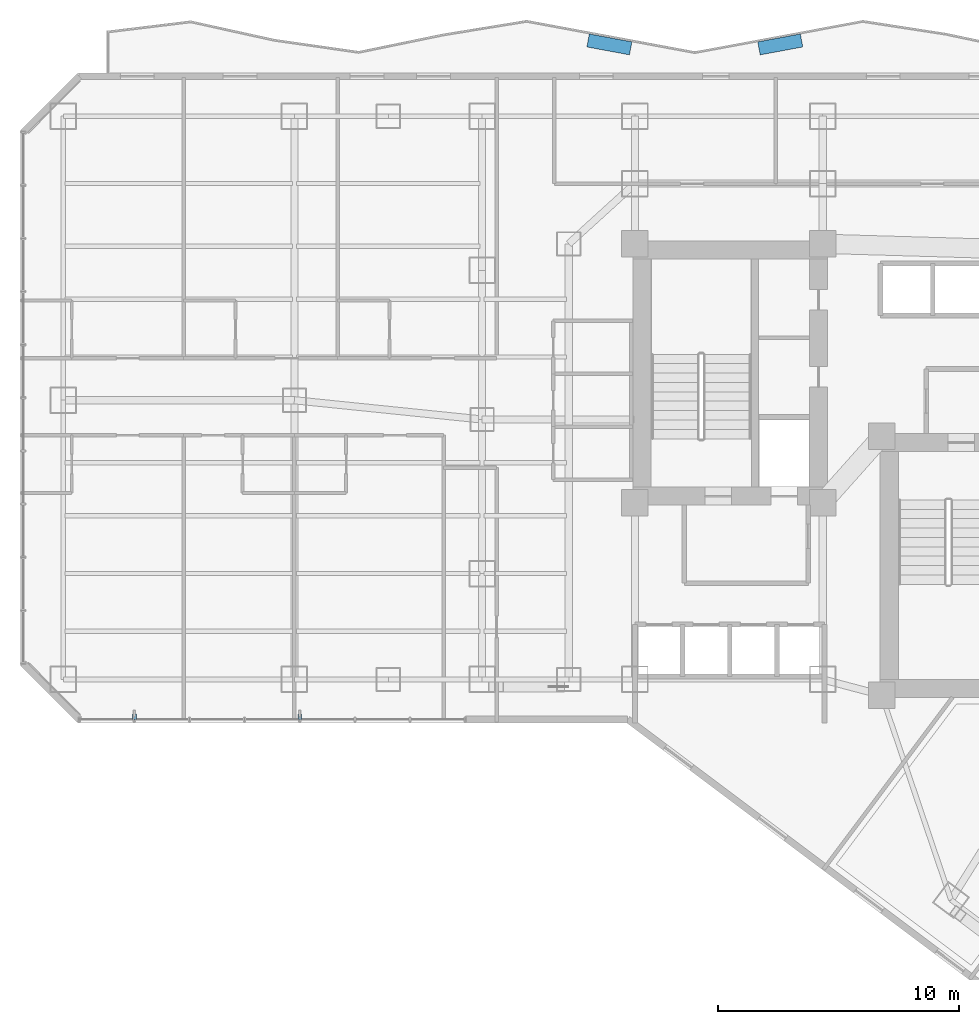
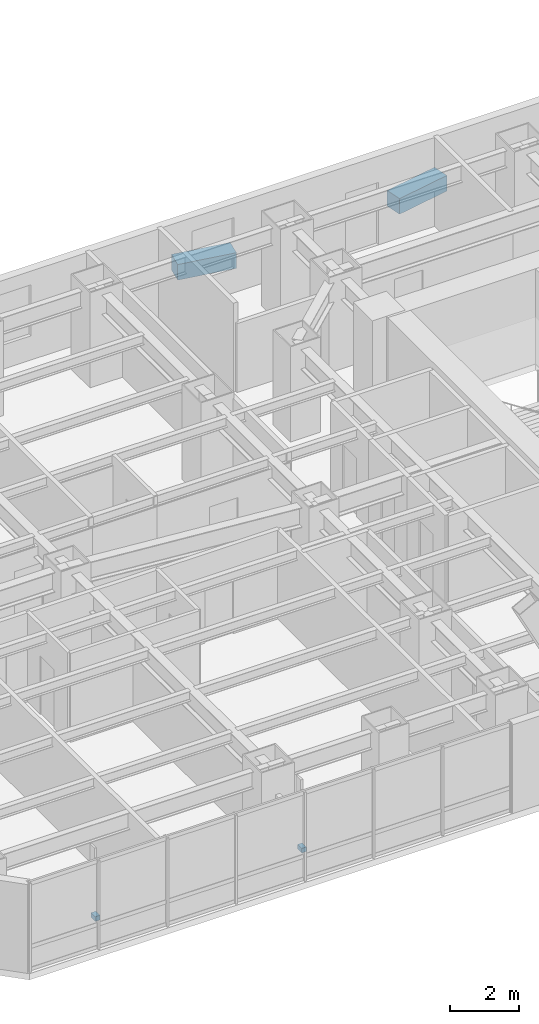
# One storey, part 27 of 32: 4 discrete accessories.
"""IFC4 building model written with IfcOpenShell, lengths in metres."""

import ifcopenshell
import ifcopenshell.guid

model = None  # the IFC model being written
_history = None  # IfcOwnerHistory: only IFC2X3 demands one
_inside = {}  # id of a spatial element -> (the spatial element, [elements in it])
_under = {}  # id of a project, library or spatial element -> (it, [spatial elements below it])
_declared = {}  # id of a project -> (the project, [libraries it declares])
_typed = {}  # id of a type object -> (the type object, [elements of that type])
_made_of = {}  # id of a material, layer set ... -> (it, [elements and type objects made of it])


def new_model(schema):
    """Start an empty IFC model of exactly this schema.

    Asked for "IFC4X3", IfcOpenShell would pick the latest addendum, in which some entities
    have other attributes; the version numbers below select the first issue.
    IFC2X3 requires an IfcOwnerHistory on every rooted entity: one is made here for all.
    """
    global model, _history
    if schema == "IFC4X3":
        model = ifcopenshell.file(schema_version=(4, 3, 0, 0))
    else:
        model = ifcopenshell.file(schema=schema)
    _inside.clear()
    _under.clear()
    _declared.clear()
    _typed.clear()
    _made_of.clear()
    _history = None
    if model.schema == "IFC2X3":
        org = make("IfcOrganization", Name="unknown")
        user = make(
            "IfcPersonAndOrganization",
            ThePerson=make("IfcPerson", FamilyName="unknown"),
            TheOrganization=org,
        )
        app = make(
            "IfcApplication",
            ApplicationDeveloper=org,
            Version="unknown",
            ApplicationFullName="unknown",
            ApplicationIdentifier="unknown",
        )
        _history = make(
            "IfcOwnerHistory",
            OwningUser=user,
            OwningApplication=app,
            ChangeAction="ADDED",
            CreationDate=0,
        )
    return model


def make(cls, **values):
    """One entity of the class cls with the attributes given. An attribute that is None is left unset."""
    return model.create_entity(
        cls, **{name: value for name, value in values.items() if value is not None}
    )


def rooted(cls, **values):
    """An entity with a GlobalId (a new one), such as an element, a storey or a relation."""
    return make(cls, GlobalId=ifcopenshell.guid.new(), OwnerHistory=_history, **values)


def si_unit(unit_type, name, prefix=None):
    """IfcSIUnit, for example si_unit("LENGTHUNIT", "METRE", prefix="MILLI")."""
    return make("IfcSIUnit", UnitType=unit_type, Prefix=prefix, Name=name)


def assignment(units):
    """IfcUnitAssignment: the units of a project."""
    return None if units is None else make("IfcUnitAssignment", Units=units)


def point(xyz):
    """IfcCartesianPoint."""
    return None if xyz is None else make("IfcCartesianPoint", Coordinates=xyz)


def direction(xyz):
    """IfcDirection."""
    return None if xyz is None else make("IfcDirection", DirectionRatios=xyz)


def frame(location, z_axis=None, x_axis=None):
    """IfcAxis2Placement3D, a coordinate frame: its origin and axes. An axis left out is left unset."""
    return make(
        "IfcAxis2Placement3D",
        Location=point(location),
        Axis=direction(z_axis),
        RefDirection=direction(x_axis),
    )


def frame_2d(location, x_axis=None):
    """IfcAxis2Placement2D, a coordinate frame in the plane: its origin and x axis."""
    return make(
        "IfcAxis2Placement2D", Location=point(location), RefDirection=direction(x_axis)
    )


def origin():
    """The frame at (0, 0, 0) with its axes left unset."""
    return frame((0.0, 0.0, 0.0))


def origin_2d():
    """The frame at (0, 0) in the plane with its x axis left unset."""
    return frame_2d((0.0, 0.0))


def place(relative_to, where):
    """IfcLocalPlacement: puts the frame where relative to a parent placement (None: the world)."""
    return make(
        "IfcLocalPlacement", PlacementRelTo=relative_to, RelativePlacement=where
    )


def context(
    kind, dimensions, precision=None, world=None, true_north=None, identifier=None
):
    """IfcGeometricRepresentationContext, for example the 3D "Model" context."""
    return make(
        "IfcGeometricRepresentationContext",
        ContextIdentifier=identifier,
        ContextType=kind,
        CoordinateSpaceDimension=dimensions,
        Precision=precision,
        WorldCoordinateSystem=world,
        TrueNorth=true_north,
    )


def subcontext(parent, identifier, kind, view, scale=None):
    """IfcGeometricRepresentationSubContext, for example "Body" below "Model"."""
    return make(
        "IfcGeometricRepresentationSubContext",
        ContextIdentifier=identifier,
        ContextType=kind,
        ParentContext=parent,
        TargetScale=scale,
        TargetView=view,
    )


def project(units=None, contexts=None):
    """IfcProject with its units and contexts."""
    return rooted(
        "IfcProject",
        Name="project",
        RepresentationContexts=contexts,
        UnitsInContext=assignment(units),
    )


def spatial(cls, under=None, at=None, **own):
    """A site, building, storey or space (cls), placed at a placement, below another one or the project."""
    s = rooted(cls, ObjectPlacement=at, **own)
    if under is not None:
        _under.setdefault(under.id(), (under, []))[1].append(s)
    return s


def profile(cls, at=None, kind="AREA", **sizes):
    """A parametric profile (cls). Its sizes go by their IFC names, for example OverallWidth=200.0."""
    return make(cls, ProfileType=kind, Position=at, **sizes)


def rectangle(**sizes):
    """IfcRectangleProfileDef."""
    return profile("IfcRectangleProfileDef", **sizes)


def extrude(swept, where, along, depth):
    """IfcExtrudedAreaSolid: the profile swept, set in the frame where, extruded along a direction by depth."""
    return make(
        "IfcExtrudedAreaSolid",
        SweptArea=swept,
        Position=where,
        ExtrudedDirection=direction(along),
        Depth=depth,
    )


def shape(context_of_items, identifier, shape_type, items):
    """IfcShapeRepresentation: the items that make up one representation, for example the "Body"."""
    return make(
        "IfcShapeRepresentation",
        ContextOfItems=context_of_items,
        RepresentationIdentifier=identifier,
        RepresentationType=shape_type,
        Items=items,
    )


def material(Name=None, Category=None):
    """IfcMaterial."""
    return make("IfcMaterial", Name=Name, Category=Category)


def made_of(thing, what):
    """Note that an element or type object is made of a material, layer set ...; save() writes the relation."""
    if what is not None:
        _made_of.setdefault(what.id(), (what, []))[1].append(thing)
    return thing


def type_object(cls, material=None, **own):
    """A type object (cls), such as IfcWallType, which elements share."""
    return made_of(rooted(cls, **own), material)


def element(
    cls,
    number,
    at=None,
    inside=None,
    cuts=None,
    type_object=None,
    material=None,
    context=None,
    identifier="Body",
    shape_type=None,
    held_by="IfcProductDefinitionShape",
    body=None,
    shapes=None,
    **own,
):
    """One element of the class cls, such as IfcWall. Its Tag is "e" and its number.

    at: its placement. inside: the storey or other place that contains it. cuts: it is an
    opening in that element (IfcRelVoidsElement). A single representation is given by context,
    identifier, shape_type and body (its items); several are given by shapes. held_by: the class
    of the entity that holds the representations. save() writes the other relations.
    """
    e = rooted(cls, Tag="e%d" % number, ObjectPlacement=at, **own)
    if body is not None:
        shapes = [shape(context, identifier, shape_type, body)]
    if shapes is not None:
        e.Representation = make(held_by, Representations=shapes)
    if inside is not None:
        _inside.setdefault(inside.id(), (inside, []))[1].append(e)
    if cuts is not None:
        rooted(
            "IfcRelVoidsElement", RelatingBuildingElement=cuts, RelatedOpeningElement=e
        )
    if type_object is not None:
        _typed.setdefault(type_object.id(), (type_object, []))[1].append(e)
    return made_of(e, material)


def aggregate(whole, parts):
    """IfcRelAggregates: a whole, such as a stair, and the parts it consists of."""
    return rooted("IfcRelAggregates", RelatingObject=whole, RelatedObjects=parts)


def save(model, path):
    """Write the relations noted so far, then the file.

    IfcRelAggregates (storeys below a building ...), IfcRelContainedInSpatialStructure (elements
    in a storey), IfcRelDefinesByType, IfcRelAssociatesMaterial and IfcRelDeclares: one each for
    every whole, place, type object, material and project.
    """
    for whole, parts in _under.values():
        aggregate(whole, parts)
    for where, things in _inside.values():
        rooted(
            "IfcRelContainedInSpatialStructure",
            RelatedElements=things,
            RelatingStructure=where,
        )
    for kind, things in _typed.values():
        rooted("IfcRelDefinesByType", RelatedObjects=things, RelatingType=kind)
    for what, things in _made_of.values():
        rooted("IfcRelAssociatesMaterial", RelatedObjects=things, RelatingMaterial=what)
    for by, libraries in _declared.values():
        rooted("IfcRelDeclares", RelatingContext=by, RelatedDefinitions=libraries)
    model.write(path)


model = new_model("IFC4")

# Units and contexts
model_context = context("Model", 3, precision=1e-05, world=origin(), true_north=direction((0.0, 1.0)))
body_context = subcontext(model_context, "Body", "Model", "MODEL_VIEW")
ifc_project = project(units=[si_unit("LENGTHUNIT", "METRE"), si_unit("AREAUNIT", "SQUARE_METRE"), si_unit("VOLUMEUNIT", "CUBIC_METRE"), si_unit("PLANEANGLEUNIT", "RADIAN"), si_unit("MASSUNIT", "GRAM", prefix="KILO")], contexts=[model_context])

# Site, building, storey
site_placement = place(None, origin())
site = spatial("IfcSite", under=ifc_project, at=site_placement, CompositionType="ELEMENT")
building_placement = place(site_placement, origin())
building = spatial("IfcBuilding", under=site, at=building_placement, Name="Hatsunagi Terrace Concourse", CompositionType="ELEMENT")
storey_placement = place(building_placement, frame((0.0, 0.0, 36.60009765625)))
storey = spatial("IfcBuildingStorey", under=building, at=storey_placement, Name="L08", CompositionType="ELEMENT", Elevation=36.60009765625)

# Discrete accessories
ifc_material_1 = material(Name="Stainless Steel SUS316 Bracket", Category="steel")
discrete_accessory_type_1 = type_object("IfcDiscreteAccessoryType", Name="FacadeScreenSupportBracket_SS", PredefinedType="BRACKET", material=ifc_material_1)
for number, where, z_axis, x_axis, name in (
    (1, (11.625, 23.64990234375, 0.9697265625), (0.0, 0.0, 1.0), (-1.0, 0.0, 0.0), "Terracotta Screen Bracket BRK-01"),
    (2, (4.75, 23.64990234375, 0.9697265625), (0.0, 0.0, 1.0), (-1.0, 0.0, 0.0), "Terracotta Screen Bracket BRK-01"),
):
    element("IfcDiscreteAccessory", number, at=place(storey_placement, frame(where, z_axis=z_axis, x_axis=x_axis)), inside=storey, type_object=discrete_accessory_type_1, Name=name, PredefinedType="BRACKET", context=body_context, shape_type="SweptSolid", body=[
        extrude(rectangle(XDim=0.159912109375, YDim=0.239990234375, at=origin_2d()), origin(), (0.0, 0.0, 1.0), 0.159912109375),
    ])
ifc_material_2 = material(Name="Architectural Precast Terracotta Planter", Category="masonry")
discrete_accessory_type_2 = type_object("IfcDiscreteAccessoryType", Name="SkyGardenPlanterEdge_450", PredefinedType="USERDEFINED", material=ifc_material_2)
for number, where, z_axis, x_axis, name in (
    (3, (24.487060546875, 51.583984375, 0.0), (0.0, 0.0, 1.0), (0.983149784355, -0.182801809407, 0.0), "Balcony Greenery Planter L08-BN"),
    (4, (31.5859375, 51.5830078125, 0.0), (0.0, 0.0, 1.0), (0.983210349673, 0.182475774547, 0.0), "Balcony Greenery Planter L08-BN"),
):
    element("IfcDiscreteAccessory", number, at=place(storey_placement, frame(where, z_axis=z_axis, x_axis=x_axis)), inside=storey, type_object=discrete_accessory_type_2, Name=name, ObjectType="PLANTER", PredefinedType="USERDEFINED", context=body_context, shape_type="SweptSolid", body=[
        extrude(rectangle(XDim=1.800048828125, YDim=0.550048828125, at=origin_2d()), origin(), (0.0, 0.0, 1.0), 0.550048828125),
    ])

save(model, "model.ifc")
